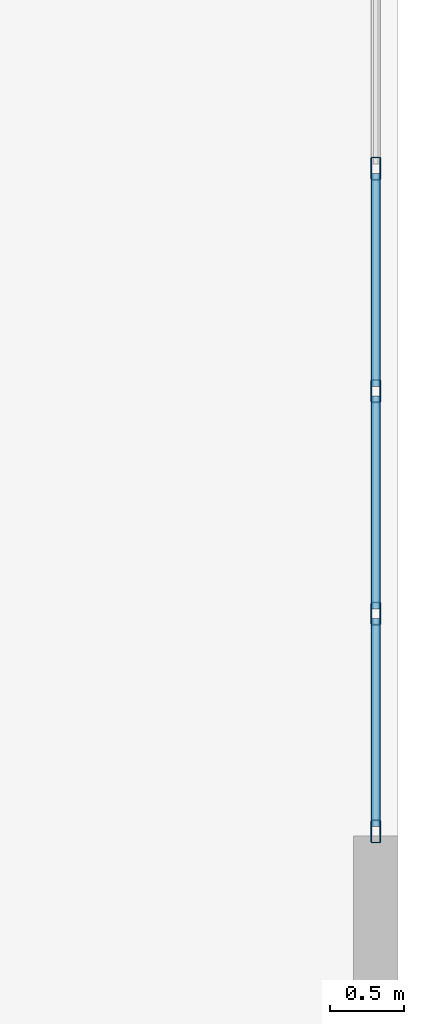
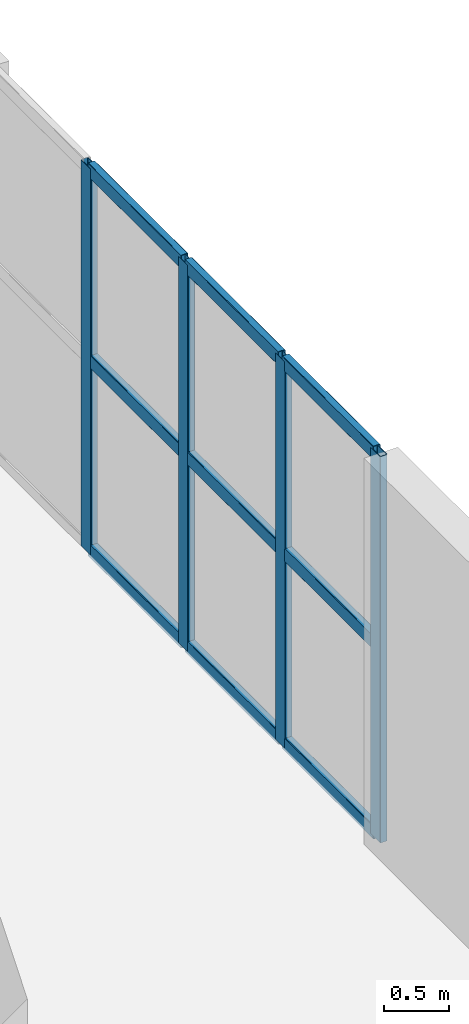
# One storey, part 2 of 7: 13 members, 1 element without a shape of its own.
"""IFC4 building model written with IfcOpenShell, lengths in metres."""

import ifcopenshell
import ifcopenshell.guid

model = None  # the IFC model being written
_history = None  # IfcOwnerHistory: only IFC2X3 demands one
_inside = {}  # id of a spatial element -> (the spatial element, [elements in it])
_under = {}  # id of a project, library or spatial element -> (it, [spatial elements below it])
_declared = {}  # id of a project -> (the project, [libraries it declares])
_typed = {}  # id of a type object -> (the type object, [elements of that type])
_made_of = {}  # id of a material, layer set ... -> (it, [elements and type objects made of it])


def new_model(schema):
    """Start an empty IFC model of exactly this schema.

    Asked for "IFC4X3", IfcOpenShell would pick the latest addendum, in which some entities
    have other attributes; the version numbers below select the first issue.
    IFC2X3 requires an IfcOwnerHistory on every rooted entity: one is made here for all.
    """
    global model, _history
    if schema == "IFC4X3":
        model = ifcopenshell.file(schema_version=(4, 3, 0, 0))
    else:
        model = ifcopenshell.file(schema=schema)
    _inside.clear()
    _under.clear()
    _declared.clear()
    _typed.clear()
    _made_of.clear()
    _history = None
    if model.schema == "IFC2X3":
        org = make("IfcOrganization", Name="unknown")
        user = make(
            "IfcPersonAndOrganization",
            ThePerson=make("IfcPerson", FamilyName="unknown"),
            TheOrganization=org,
        )
        app = make(
            "IfcApplication",
            ApplicationDeveloper=org,
            Version="unknown",
            ApplicationFullName="unknown",
            ApplicationIdentifier="unknown",
        )
        _history = make(
            "IfcOwnerHistory",
            OwningUser=user,
            OwningApplication=app,
            ChangeAction="ADDED",
            CreationDate=0,
        )
    return model


def make(cls, **values):
    """One entity of the class cls with the attributes given. An attribute that is None is left unset."""
    return model.create_entity(
        cls, **{name: value for name, value in values.items() if value is not None}
    )


def entity(cls, *values):
    """Any entity or typed value of the class cls, its attributes in the order of the schema. None: left unset."""
    e = model.create_entity(cls)
    for i, value in enumerate(values):
        if value is not None:
            e[i] = value
    return e


def rooted(cls, **values):
    """An entity with a GlobalId (a new one), such as an element, a storey or a relation."""
    return make(cls, GlobalId=ifcopenshell.guid.new(), OwnerHistory=_history, **values)


def si_unit(unit_type, name, prefix=None):
    """IfcSIUnit, for example si_unit("LENGTHUNIT", "METRE", prefix="MILLI")."""
    return make("IfcSIUnit", UnitType=unit_type, Prefix=prefix, Name=name)


def converted_unit(unit_type, name, factor, base, dimensions=None, offset=None):
    """IfcConversionBasedUnit, such as the inch: factor (a typed value) times the base unit."""
    return make(
        "IfcConversionBasedUnit"
        if offset is None
        else "IfcConversionBasedUnitWithOffset",
        ConversionOffset=offset,
        Dimensions=None
        if dimensions is None
        else entity("IfcDimensionalExponents", *dimensions),
        UnitType=unit_type,
        Name=name,
        ConversionFactor=make(
            "IfcMeasureWithUnit", ValueComponent=factor, UnitComponent=base
        ),
    )


def assignment(units):
    """IfcUnitAssignment: the units of a project."""
    return None if units is None else make("IfcUnitAssignment", Units=units)


def point(xyz):
    """IfcCartesianPoint."""
    return None if xyz is None else make("IfcCartesianPoint", Coordinates=xyz)


def direction(xyz):
    """IfcDirection."""
    return None if xyz is None else make("IfcDirection", DirectionRatios=xyz)


def frame(location, z_axis=None, x_axis=None):
    """IfcAxis2Placement3D, a coordinate frame: its origin and axes. An axis left out is left unset."""
    return make(
        "IfcAxis2Placement3D",
        Location=point(location),
        Axis=direction(z_axis),
        RefDirection=direction(x_axis),
    )


def frame_2d(location, x_axis=None):
    """IfcAxis2Placement2D, a coordinate frame in the plane: its origin and x axis."""
    return make(
        "IfcAxis2Placement2D", Location=point(location), RefDirection=direction(x_axis)
    )


def origin_with_axes():
    """The frame at (0, 0, 0) with the z axis (0, 0, 1) and the x axis (1, 0, 0) written out."""
    return frame((0.0, 0.0, 0.0), z_axis=(0.0, 0.0, 1.0), x_axis=(1.0, 0.0, 0.0))


def origin_2d_with_axis():
    """The frame at (0, 0) in the plane with the x axis (1, 0) written out."""
    return frame_2d((0.0, 0.0), x_axis=(1.0, 0.0))


def place(relative_to, where):
    """IfcLocalPlacement: puts the frame where relative to a parent placement (None: the world)."""
    return make(
        "IfcLocalPlacement", PlacementRelTo=relative_to, RelativePlacement=where
    )


def context(
    kind, dimensions, precision=None, world=None, true_north=None, identifier=None
):
    """IfcGeometricRepresentationContext, for example the 3D "Model" context."""
    return make(
        "IfcGeometricRepresentationContext",
        ContextIdentifier=identifier,
        ContextType=kind,
        CoordinateSpaceDimension=dimensions,
        Precision=precision,
        WorldCoordinateSystem=world,
        TrueNorth=true_north,
    )


def subcontext(parent, identifier, kind, view, scale=None):
    """IfcGeometricRepresentationSubContext, for example "Body" below "Model"."""
    return make(
        "IfcGeometricRepresentationSubContext",
        ContextIdentifier=identifier,
        ContextType=kind,
        ParentContext=parent,
        TargetScale=scale,
        TargetView=view,
    )


def project(units=None, contexts=None):
    """IfcProject with its units and contexts."""
    return rooted(
        "IfcProject",
        Name="project",
        RepresentationContexts=contexts,
        UnitsInContext=assignment(units),
    )


def spatial(cls, under=None, at=None, **own):
    """A site, building, storey or space (cls), placed at a placement, below another one or the project."""
    s = rooted(cls, ObjectPlacement=at, **own)
    if under is not None:
        _under.setdefault(under.id(), (under, []))[1].append(s)
    return s


def profile(cls, at=None, kind="AREA", **sizes):
    """A parametric profile (cls). Its sizes go by their IFC names, for example OverallWidth=200.0."""
    return make(cls, ProfileType=kind, Position=at, **sizes)


def hollow_rectangle(**sizes):
    """IfcRectangleHollowProfileDef."""
    return profile("IfcRectangleHollowProfileDef", **sizes)


def extrude(swept, where, along, depth):
    """IfcExtrudedAreaSolid: the profile swept, set in the frame where, extruded along a direction by depth."""
    return make(
        "IfcExtrudedAreaSolid",
        SweptArea=swept,
        Position=where,
        ExtrudedDirection=direction(along),
        Depth=depth,
    )


def shape(context_of_items, identifier, shape_type, items):
    """IfcShapeRepresentation: the items that make up one representation, for example the "Body"."""
    return make(
        "IfcShapeRepresentation",
        ContextOfItems=context_of_items,
        RepresentationIdentifier=identifier,
        RepresentationType=shape_type,
        Items=items,
    )


def material(Name=None, Category=None):
    """IfcMaterial."""
    return make("IfcMaterial", Name=Name, Category=Category)


def material_profile(
    of_material, cross_section, Name=None, Category=None, Priority=None
):
    """IfcMaterialProfile: a cross section and its material."""
    return make(
        "IfcMaterialProfile",
        Name=Name,
        Material=of_material,
        Profile=cross_section,
        Priority=Priority,
        Category=Category,
    )


def profile_set(profiles, Name=None, composite=None):
    """IfcMaterialProfileSet."""
    return make(
        "IfcMaterialProfileSet",
        Name=Name,
        MaterialProfiles=profiles,
        CompositeProfile=composite,
    )


def made_of(thing, what):
    """Note that an element or type object is made of a material, layer set ...; save() writes the relation."""
    if what is not None:
        _made_of.setdefault(what.id(), (what, []))[1].append(thing)
    return thing


def type_object(cls, material=None, **own):
    """A type object (cls), such as IfcWallType, which elements share."""
    return made_of(rooted(cls, **own), material)


def element(
    cls,
    number,
    at=None,
    inside=None,
    cuts=None,
    type_object=None,
    material=None,
    context=None,
    identifier="Body",
    shape_type=None,
    held_by="IfcProductDefinitionShape",
    body=None,
    shapes=None,
    **own,
):
    """One element of the class cls, such as IfcWall. Its Tag is "e" and its number.

    at: its placement. inside: the storey or other place that contains it. cuts: it is an
    opening in that element (IfcRelVoidsElement). A single representation is given by context,
    identifier, shape_type and body (its items); several are given by shapes. held_by: the class
    of the entity that holds the representations. save() writes the other relations.
    """
    e = rooted(cls, Tag="e%d" % number, ObjectPlacement=at, **own)
    if body is not None:
        shapes = [shape(context, identifier, shape_type, body)]
    if shapes is not None:
        e.Representation = make(held_by, Representations=shapes)
    if inside is not None:
        _inside.setdefault(inside.id(), (inside, []))[1].append(e)
    if cuts is not None:
        rooted(
            "IfcRelVoidsElement", RelatingBuildingElement=cuts, RelatedOpeningElement=e
        )
    if type_object is not None:
        _typed.setdefault(type_object.id(), (type_object, []))[1].append(e)
    return made_of(e, material)


def aggregate(whole, parts):
    """IfcRelAggregates: a whole, such as a stair, and the parts it consists of."""
    return rooted("IfcRelAggregates", RelatingObject=whole, RelatedObjects=parts)


def save(model, path):
    """Write the relations noted so far, then the file.

    IfcRelAggregates (storeys below a building ...), IfcRelContainedInSpatialStructure (elements
    in a storey), IfcRelDefinesByType, IfcRelAssociatesMaterial and IfcRelDeclares: one each for
    every whole, place, type object, material and project.
    """
    for whole, parts in _under.values():
        aggregate(whole, parts)
    for where, things in _inside.values():
        rooted(
            "IfcRelContainedInSpatialStructure",
            RelatedElements=things,
            RelatingStructure=where,
        )
    for kind, things in _typed.values():
        rooted("IfcRelDefinesByType", RelatedObjects=things, RelatingType=kind)
    for what, things in _made_of.values():
        rooted("IfcRelAssociatesMaterial", RelatedObjects=things, RelatingMaterial=what)
    for by, libraries in _declared.values():
        rooted("IfcRelDeclares", RelatingContext=by, RelatedDefinitions=libraries)
    model.write(path)


model = new_model("IFC4")

# Units and contexts
model_context = context("Model", 3, precision=1e-05, world=origin_with_axes(), true_north=direction((0.0, 1.0)))
body_context = subcontext(model_context, "Body", "Model", "MODEL_VIEW")
ifc_project = project(units=[si_unit("LENGTHUNIT", "METRE"), si_unit("AREAUNIT", "SQUARE_METRE"), si_unit("VOLUMEUNIT", "CUBIC_METRE"), converted_unit("PLANEANGLEUNIT", "DEGREE", entity("IfcPlaneAngleMeasure", 0.017453292519943295), si_unit("PLANEANGLEUNIT", "RADIAN"), dimensions=[0, 0, 0, 0, 0, 0, 0]), si_unit("MASSUNIT", "GRAM", prefix="KILO"), si_unit("THERMODYNAMICTEMPERATUREUNIT", "KELVIN")], contexts=[model_context])

# Site, building, storey
site_placement = place(None, origin_with_axes())
site = spatial("IfcSite", under=ifc_project, at=site_placement, CompositionType="ELEMENT")
building_placement = place(site_placement, origin_with_axes())
building = spatial("IfcBuilding", under=site, at=building_placement, Name="Varnlund Millrace Tower", CompositionType="ELEMENT")
storey_placement = place(building_placement, frame((0.0, 0.0, 316.5), z_axis=(0.0, 0.0, 1.0), x_axis=(1.0, 0.0, 0.0)))
storey = spatial("IfcBuildingStorey", under=building, at=storey_placement, Name="L78", CompositionType="ELEMENT", Elevation=316.5)

# Curtain wall, members
ifc_material_1 = material(Name="Thermally broken architectural bronze curtain wall", Category="aluminium")
curtain_wall_type = type_object("IfcCurtainWallType", Name="Type-CW-Sys6-Observatory", PredefinedType="NOTDEFINED", material=ifc_material_1)
curtain_wall_placement = place(storey_placement, frame((32.25, 37.0, 0.0), z_axis=(0.0, 0.0, 1.0), x_axis=(1.0, 0.0, 0.0)))
curtain_wall = element("IfcCurtainWall", 1, at=curtain_wall_placement, inside=storey, type_object=curtain_wall_type, Name="Type-CW-Sys6-Observatory", PredefinedType="NOTDEFINED")
ifc_material_2 = material(Name="Architectural bronze aluminium alloy 6063-T6", Category="aluminium")
ifc_material_profile_1 = material_profile(ifc_material_2, hollow_rectangle(XDim=0.065, YDim=0.155, WallThickness=0.0045, InnerFilletRadius=0.004, OuterFilletRadius=0.009, at=origin_2d_with_axis()), Name="Architectural bronze aluminium alloy 6063-T6")
ifc_profile_set_1 = profile_set([ifc_material_profile_1], Name="Architectural bronze aluminium alloy 6063-T6")
member_type_1 = type_object("IfcMemberType", Name="Type-CW-Mullion-65X155", PredefinedType="MULLION", material=ifc_profile_set_1)
member_1_placement = place(storey_placement, frame((32.25, 35.5, 0.0), z_axis=(0.0, 0.0, 1.0), x_axis=(1.0, 0.0, 0.0)))
member_1 = element("IfcMember", 2, at=member_1_placement, type_object=member_type_1, Name="CW-06 mullion 2", PredefinedType="MULLION", context=body_context, shape_type="SweptSolid", body=[
    extrude(hollow_rectangle(XDim=0.065, YDim=0.155, WallThickness=0.0045, InnerFilletRadius=0.004, OuterFilletRadius=0.009, at=origin_2d_with_axis()), origin_with_axes(), (0.0, 0.0, 1.0), 3.64),
])
member_2_placement = place(storey_placement, frame((32.25, 34.0, 0.0), z_axis=(0.0, 0.0, 1.0), x_axis=(1.0, 0.0, 0.0)))
member_2 = element("IfcMember", 3, at=member_2_placement, type_object=member_type_1, Name="CW-06 mullion 3", PredefinedType="MULLION", context=body_context, shape_type="SweptSolid", body=[
    extrude(hollow_rectangle(XDim=0.065, YDim=0.155, WallThickness=0.0045, InnerFilletRadius=0.004, OuterFilletRadius=0.009, at=origin_2d_with_axis()), origin_with_axes(), (0.0, 0.0, 1.0), 3.64),
])
member_3_placement = place(storey_placement, frame((32.25, 32.5, 0.0), z_axis=(0.0, 0.0, 1.0), x_axis=(1.0, 0.0, 0.0)))
member_3 = element("IfcMember", 4, at=member_3_placement, type_object=member_type_1, Name="CW-06 mullion 4", PredefinedType="MULLION", context=body_context, shape_type="SweptSolid", body=[
    extrude(hollow_rectangle(XDim=0.065, YDim=0.155, WallThickness=0.0045, InnerFilletRadius=0.004, OuterFilletRadius=0.009, at=origin_2d_with_axis()), origin_with_axes(), (0.0, 0.0, 1.0), 3.64),
])
member_4_placement = place(storey_placement, frame((32.25, 31.0325, 0.0), z_axis=(0.0, 0.0, 1.0), x_axis=(1.0, 0.0, 0.0)))
member_4 = element("IfcMember", 5, at=member_4_placement, type_object=member_type_1, Name="CW-06 mullion 5", PredefinedType="MULLION", context=body_context, shape_type="SweptSolid", body=[
    extrude(hollow_rectangle(XDim=0.065, YDim=0.155, WallThickness=0.0045, InnerFilletRadius=0.004, OuterFilletRadius=0.009, at=origin_2d_with_axis()), origin_with_axes(), (0.0, 0.0, 1.0), 3.64),
])
ifc_material_profile_2 = material_profile(ifc_material_2, hollow_rectangle(XDim=0.065, YDim=0.13, WallThickness=0.0045, InnerFilletRadius=0.004, OuterFilletRadius=0.009, at=origin_2d_with_axis()), Name="Architectural bronze aluminium alloy 6063-T6")
ifc_profile_set_2 = profile_set([ifc_material_profile_2], Name="Architectural bronze aluminium alloy 6063-T6")
member_type_2 = type_object("IfcMemberType", Name="Type-CW-Transom-65X130", PredefinedType="USERDEFINED", material=ifc_profile_set_2)
member_5_placement = place(storey_placement, frame((32.25, 35.4675, 0.0325), z_axis=(0.0, -1.0, 0.0), x_axis=(1.0, 0.0, 0.0)))
member_5 = element("IfcMember", 6, at=member_5_placement, type_object=member_type_2, Name="CW-06 transom 2.1", ObjectType="TRANSOM", PredefinedType="USERDEFINED", context=body_context, shape_type="SweptSolid", body=[
    extrude(hollow_rectangle(XDim=0.065, YDim=0.13, WallThickness=0.0045, InnerFilletRadius=0.004, OuterFilletRadius=0.009, at=origin_2d_with_axis()), origin_with_axes(), (0.0, 0.0, 1.0), 1.435),
])
member_6_placement = place(storey_placement, frame((32.25, 35.4675, 1.82), z_axis=(0.0, -1.0, 0.0), x_axis=(1.0, 0.0, 0.0)))
member_6 = element("IfcMember", 7, at=member_6_placement, type_object=member_type_2, Name="CW-06 transom 2.2", ObjectType="TRANSOM", PredefinedType="USERDEFINED", context=body_context, shape_type="SweptSolid", body=[
    extrude(hollow_rectangle(XDim=0.065, YDim=0.13, WallThickness=0.0045, InnerFilletRadius=0.004, OuterFilletRadius=0.009, at=origin_2d_with_axis()), origin_with_axes(), (0.0, 0.0, 1.0), 1.435),
])
member_7_placement = place(storey_placement, frame((32.25, 35.4675, 3.6075), z_axis=(0.0, -1.0, 0.0), x_axis=(1.0, 0.0, 0.0)))
member_7 = element("IfcMember", 8, at=member_7_placement, type_object=member_type_2, Name="CW-06 transom 2.3", ObjectType="TRANSOM", PredefinedType="USERDEFINED", context=body_context, shape_type="SweptSolid", body=[
    extrude(hollow_rectangle(XDim=0.065, YDim=0.13, WallThickness=0.0045, InnerFilletRadius=0.004, OuterFilletRadius=0.009, at=origin_2d_with_axis()), origin_with_axes(), (0.0, 0.0, 1.0), 1.435),
])
member_8_placement = place(storey_placement, frame((32.25, 33.9675, 0.0325), z_axis=(0.0, -1.0, 0.0), x_axis=(1.0, 0.0, 0.0)))
member_8 = element("IfcMember", 9, at=member_8_placement, type_object=member_type_2, Name="CW-06 transom 3.1", ObjectType="TRANSOM", PredefinedType="USERDEFINED", context=body_context, shape_type="SweptSolid", body=[
    extrude(hollow_rectangle(XDim=0.065, YDim=0.13, WallThickness=0.0045, InnerFilletRadius=0.004, OuterFilletRadius=0.009, at=origin_2d_with_axis()), origin_with_axes(), (0.0, 0.0, 1.0), 1.435),
])
member_9_placement = place(storey_placement, frame((32.25, 33.9675, 1.82), z_axis=(0.0, -1.0, 0.0), x_axis=(1.0, 0.0, 0.0)))
member_9 = element("IfcMember", 10, at=member_9_placement, type_object=member_type_2, Name="CW-06 transom 3.2", ObjectType="TRANSOM", PredefinedType="USERDEFINED", context=body_context, shape_type="SweptSolid", body=[
    extrude(hollow_rectangle(XDim=0.065, YDim=0.13, WallThickness=0.0045, InnerFilletRadius=0.004, OuterFilletRadius=0.009, at=origin_2d_with_axis()), origin_with_axes(), (0.0, 0.0, 1.0), 1.435),
])
member_10_placement = place(storey_placement, frame((32.25, 33.9675, 3.6075), z_axis=(0.0, -1.0, 0.0), x_axis=(1.0, 0.0, 0.0)))
member_10 = element("IfcMember", 11, at=member_10_placement, type_object=member_type_2, Name="CW-06 transom 3.3", ObjectType="TRANSOM", PredefinedType="USERDEFINED", context=body_context, shape_type="SweptSolid", body=[
    extrude(hollow_rectangle(XDim=0.065, YDim=0.13, WallThickness=0.0045, InnerFilletRadius=0.004, OuterFilletRadius=0.009, at=origin_2d_with_axis()), origin_with_axes(), (0.0, 0.0, 1.0), 1.435),
])
member_11_placement = place(storey_placement, frame((32.25, 32.4675, 0.0325), z_axis=(0.0, -1.0, 0.0), x_axis=(1.0, 0.0, 0.0)))
member_11 = element("IfcMember", 12, at=member_11_placement, type_object=member_type_2, Name="CW-06 transom 4.1", ObjectType="TRANSOM", PredefinedType="USERDEFINED", context=body_context, shape_type="SweptSolid", body=[
    extrude(hollow_rectangle(XDim=0.065, YDim=0.13, WallThickness=0.0045, InnerFilletRadius=0.004, OuterFilletRadius=0.009, at=origin_2d_with_axis()), origin_with_axes(), (0.0, 0.0, 1.0), 1.4025),
])
member_12_placement = place(storey_placement, frame((32.25, 32.4675, 1.82), z_axis=(0.0, -1.0, 0.0), x_axis=(1.0, 0.0, 0.0)))
member_12 = element("IfcMember", 13, at=member_12_placement, type_object=member_type_2, Name="CW-06 transom 4.2", ObjectType="TRANSOM", PredefinedType="USERDEFINED", context=body_context, shape_type="SweptSolid", body=[
    extrude(hollow_rectangle(XDim=0.065, YDim=0.13, WallThickness=0.0045, InnerFilletRadius=0.004, OuterFilletRadius=0.009, at=origin_2d_with_axis()), origin_with_axes(), (0.0, 0.0, 1.0), 1.4025),
])
member_13_placement = place(storey_placement, frame((32.25, 32.4675, 3.6075), z_axis=(0.0, -1.0, 0.0), x_axis=(1.0, 0.0, 0.0)))
member_13 = element("IfcMember", 14, at=member_13_placement, type_object=member_type_2, Name="CW-06 transom 4.3", ObjectType="TRANSOM", PredefinedType="USERDEFINED", context=body_context, shape_type="SweptSolid", body=[
    extrude(hollow_rectangle(XDim=0.065, YDim=0.13, WallThickness=0.0045, InnerFilletRadius=0.004, OuterFilletRadius=0.009, at=origin_2d_with_axis()), origin_with_axes(), (0.0, 0.0, 1.0), 1.4025),
])
aggregate(curtain_wall, [member_1, member_2, member_3, member_4, member_5, member_6, member_7, member_8, member_9, member_10, member_11, member_12, member_13])

save(model, "model.ifc")
